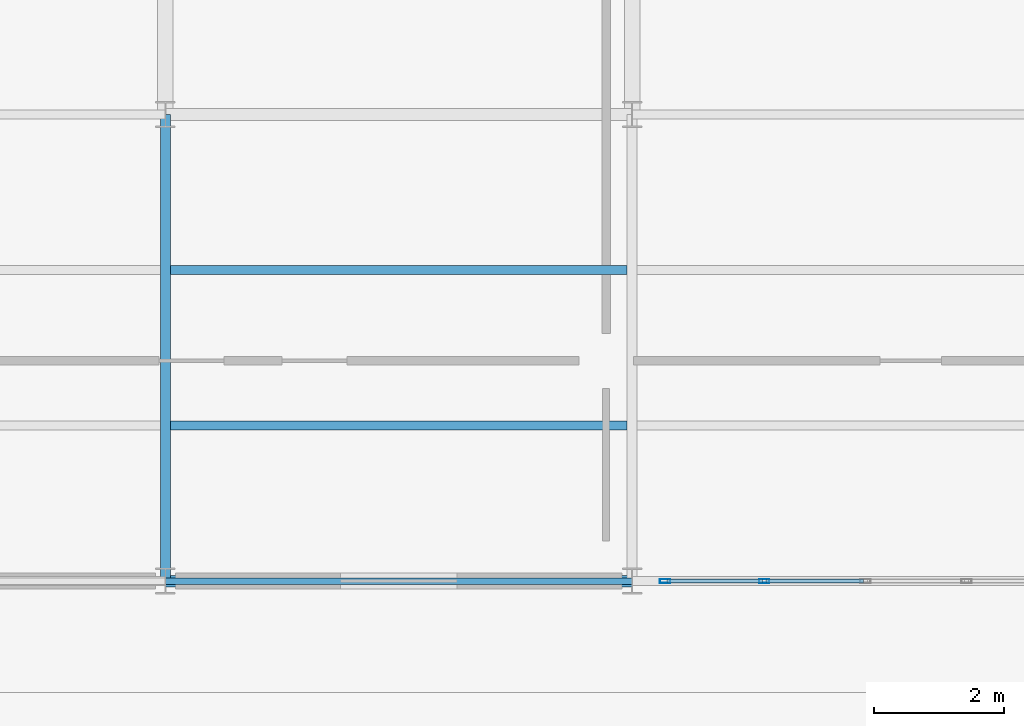
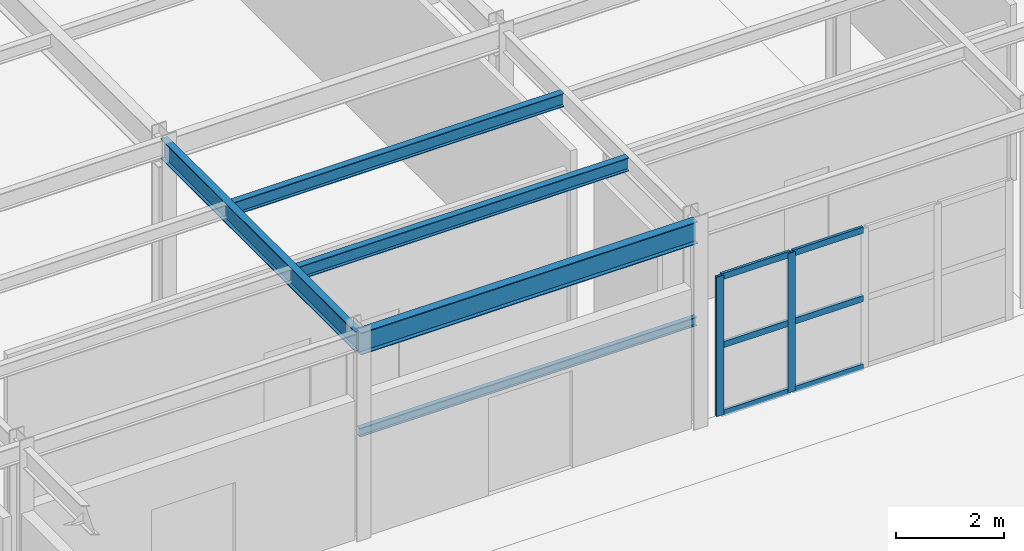
# One storey, part 19 of 41: 8 members, 5 beams, 1 element without a shape of its own.
"""IFC4 building model written with IfcOpenShell, lengths in metres."""

from ifc_helpers import new_model, si_unit, direction, frame, origin, origin_2d, place, context, subcontext, project, spatial, hollow_rectangle, i_section, extrude, material, layer, layer_set, material_profile, profile_set, type_object, element, aggregate, save


model = new_model("IFC4")

# Units and contexts
model_context = context("Model", 3, precision=1e-05, world=origin(), true_north=direction((0.0, 1.0)))
body_context = subcontext(model_context, "Body", "Model", "MODEL_VIEW")
ifc_project = project(units=[si_unit("LENGTHUNIT", "METRE"), si_unit("AREAUNIT", "SQUARE_METRE"), si_unit("VOLUMEUNIT", "CUBIC_METRE"), si_unit("PLANEANGLEUNIT", "RADIAN"), si_unit("MASSUNIT", "GRAM", prefix="KILO")], contexts=[model_context])

# Site, building, storey
site_placement = place(None, origin())
site = spatial("IfcSite", under=ifc_project, at=site_placement, CompositionType="ELEMENT")
building_placement = place(site_placement, origin())
building = spatial("IfcBuilding", under=site, at=building_placement, Name="Solvadek Multi-Sports Hall", CompositionType="ELEMENT")
storey_placement = place(building_placement, frame((0.0, 0.0, 14.39990234375)))
storey = spatial("IfcBuildingStorey", under=building, at=storey_placement, Name="L03", CompositionType="ELEMENT", Elevation=14.39990234375)

# Curtain wall, members
ifc_material_1 = material(Name="Anodised aluminium", Category="aluminium")
ifc_layer = layer(ifc_material_1, 0.159912109375, Name="Anodised aluminium")
ifc_layer_set = layer_set([ifc_layer], Name="Anodised aluminium")
curtain_wall_type = type_object("IfcCurtainWallType", Name="ENV-CW-624X315", PredefinedType="USERDEFINED", material=ifc_layer_set)
curtain_wall_placement = place(storey_placement, origin())
curtain_wall = element("IfcCurtainWall", 1, at=curtain_wall_placement, inside=storey, type_object=curtain_wall_type, Name="L03 Perimeter Bay Curtain Wall #207", ObjectType="CURTAIN WALL", PredefinedType="USERDEFINED")
ifc_material_profile_1 = material_profile(ifc_material_1, hollow_rectangle(XDim=0.06005859375, YDim=0.159912109375, WallThickness=0.00390625, at=origin_2d()), Name="ALU-M 160x60x4")
ifc_profile_set_1 = profile_set([ifc_material_profile_1], Name="Anodised aluminium")
member_type_1 = type_object("IfcMemberType", Name="ENV-CWM-01", PredefinedType="MULLION", material=ifc_profile_set_1)
member_1_placement = place(storey_placement, frame((43.7099609375, 85.199951171875, 0.0), z_axis=(0.0, 0.0, 1.0), x_axis=(0.0, 1.0, 0.0)))
member_1 = element("IfcMember", 2, at=member_1_placement, type_object=member_type_1, Name="CW-44 mullion 1", PredefinedType="MULLION", context=body_context, shape_type="SweptSolid", body=[
    extrude(hollow_rectangle(XDim=0.06005859375, YDim=0.159912109375, WallThickness=0.00390625, at=origin_2d()), origin(), (0.0, 0.0, 1.0), 3.150146484375),
])
member_2_placement = place(storey_placement, frame((45.239990234375, 85.199951171875, 0.0), z_axis=(0.0, 0.0, 1.0), x_axis=(0.0, 1.0, 0.0)))
member_2 = element("IfcMember", 3, at=member_2_placement, type_object=member_type_1, Name="CW-44 mullion 2", PredefinedType="MULLION", context=body_context, shape_type="SweptSolid", body=[
    extrude(hollow_rectangle(XDim=0.06005859375, YDim=0.159912109375, WallThickness=0.00390625, at=origin_2d()), origin(), (0.0, 0.0, 1.0), 3.150146484375),
])
ifc_material_profile_2 = material_profile(ifc_material_1, hollow_rectangle(XDim=0.06005859375, YDim=0.139892578125, WallThickness=0.00390625, at=origin_2d()), Name="ALU-T 140x60x4")
ifc_profile_set_2 = profile_set([ifc_material_profile_2], Name="Anodised aluminium")
member_type_2 = type_object("IfcMemberType", Name="ENV-CWT-02", PredefinedType="USERDEFINED", material=ifc_profile_set_2)
member_3_placement = place(storey_placement, frame((43.739990234375, 85.199951171875, 0.030029296875), z_axis=(1.0, 0.0, 0.0), x_axis=(0.0, 1.0, 0.0)))
member_3 = element("IfcMember", 4, at=member_3_placement, type_object=member_type_2, Name="CW-44 transom 1.1", ObjectType="TRANSOM", PredefinedType="USERDEFINED", context=body_context, shape_type="SweptSolid", body=[
    extrude(hollow_rectangle(XDim=0.06005859375, YDim=0.139892578125, WallThickness=0.00390625, at=origin_2d()), origin(), (0.0, 0.0, 1.0), 1.469970703125),
])
member_4_placement = place(storey_placement, frame((43.739990234375, 85.199951171875, 1.5751953125), z_axis=(1.0, 0.0, 0.0), x_axis=(0.0, 1.0, 0.0)))
member_4 = element("IfcMember", 5, at=member_4_placement, type_object=member_type_2, Name="CW-44 transom 1.2", ObjectType="TRANSOM", PredefinedType="USERDEFINED", context=body_context, shape_type="SweptSolid", body=[
    extrude(hollow_rectangle(XDim=0.06005859375, YDim=0.139892578125, WallThickness=0.00390625, at=origin_2d()), origin(), (0.0, 0.0, 1.0), 1.469970703125),
])
member_5_placement = place(storey_placement, frame((43.739990234375, 85.199951171875, 3.1201171875), z_axis=(1.0, 0.0, 0.0), x_axis=(0.0, 1.0, 0.0)))
member_5 = element("IfcMember", 6, at=member_5_placement, type_object=member_type_2, Name="CW-44 transom 1.3", ObjectType="TRANSOM", PredefinedType="USERDEFINED", context=body_context, shape_type="SweptSolid", body=[
    extrude(hollow_rectangle(XDim=0.06005859375, YDim=0.139892578125, WallThickness=0.00390625, at=origin_2d()), origin(), (0.0, 0.0, 1.0), 1.469970703125),
])
member_6_placement = place(storey_placement, frame((45.27001953125, 85.199951171875, 0.030029296875), z_axis=(1.0, 0.0, 0.0), x_axis=(0.0, 1.0, 0.0)))
member_6 = element("IfcMember", 7, at=member_6_placement, type_object=member_type_2, Name="CW-44 transom 2.1", ObjectType="TRANSOM", PredefinedType="USERDEFINED", context=body_context, shape_type="SweptSolid", body=[
    extrude(hollow_rectangle(XDim=0.06005859375, YDim=0.139892578125, WallThickness=0.00390625, at=origin_2d()), origin(), (0.0, 0.0, 1.0), 1.5),
])
member_7_placement = place(storey_placement, frame((45.27001953125, 85.199951171875, 1.5751953125), z_axis=(1.0, 0.0, 0.0), x_axis=(0.0, 1.0, 0.0)))
member_7 = element("IfcMember", 8, at=member_7_placement, type_object=member_type_2, Name="CW-44 transom 2.2", ObjectType="TRANSOM", PredefinedType="USERDEFINED", context=body_context, shape_type="SweptSolid", body=[
    extrude(hollow_rectangle(XDim=0.06005859375, YDim=0.139892578125, WallThickness=0.00390625, at=origin_2d()), origin(), (0.0, 0.0, 1.0), 1.5),
])
member_8_placement = place(storey_placement, frame((45.27001953125, 85.199951171875, 3.1201171875), z_axis=(1.0, 0.0, 0.0), x_axis=(0.0, 1.0, 0.0)))
member_8 = element("IfcMember", 9, at=member_8_placement, type_object=member_type_2, Name="CW-44 transom 2.3", ObjectType="TRANSOM", PredefinedType="USERDEFINED", context=body_context, shape_type="SweptSolid", body=[
    extrude(hollow_rectangle(XDim=0.06005859375, YDim=0.139892578125, WallThickness=0.00390625, at=origin_2d()), origin(), (0.0, 0.0, 1.0), 1.5),
])
aggregate(curtain_wall, [member_1, member_2, member_3, member_4, member_5, member_6, member_7, member_8])

# Beams
ifc_material_2 = material(Name="Steel E350 (350 MPa)", Category="steel")
ifc_material_profile_3 = material_profile(ifc_material_2, i_section(OverallWidth=0.14990234375, OverallDepth=0.449951171875, WebThickness=0.009521484375, FlangeThickness=0.017333984375, at=origin_2d()), Name="ISMB 450")
ifc_profile_set_3 = profile_set([ifc_material_profile_3], Name="Steel E350 (350 MPa)")
beam_type_1 = type_object("IfcBeamType", Name="STR-BM-ISMB450", PredefinedType="BEAM", material=ifc_profile_set_3)
beam_1_placement = place(storey_placement, frame((36.0, 85.199951171875, 4.375), z_axis=(0.0, 1.0, 0.0), x_axis=(-1.0, 0.0, 0.0)))
element("IfcBeam", 10, at=beam_1_placement, inside=storey, type_object=beam_type_1, Name="L03 Girder B-09 #1666", PredefinedType="BEAM", context=body_context, shape_type="SweptSolid", body=[
    extrude(i_section(OverallWidth=0.14990234375, OverallDepth=0.449951171875, WebThickness=0.009521484375, FlangeThickness=0.017333984375, at=origin_2d()), origin(), (0.0, 0.0, 1.0), 7.199951171875),
])
ifc_material_profile_4 = material_profile(ifc_material_2, i_section(OverallWidth=0.179931640625, OverallDepth=0.5, WebThickness=0.01025390625, FlangeThickness=0.01708984375, at=origin_2d()), Name="ISMB 500")
ifc_profile_set_4 = profile_set([ifc_material_profile_4], Name="Steel E350 (350 MPa)")
beam_type_2 = type_object("IfcBeamType", Name="STR-BM-ISMB500", PredefinedType="BEAM", material=ifc_profile_set_4)
beam_2_placement = place(storey_placement, frame((36.0, 85.199951171875, 4.35009765625), z_axis=(1.0, 0.0, 0.0), x_axis=(0.0, 1.0, 0.0)))
element("IfcBeam", 11, at=beam_2_placement, inside=storey, type_object=beam_type_2, Name="L03 Girder B-07 #1633", PredefinedType="BEAM", context=body_context, shape_type="SweptSolid", body=[
    extrude(i_section(OverallWidth=0.179931640625, OverallDepth=0.5, WebThickness=0.01025390625, FlangeThickness=0.01708984375, at=origin_2d()), origin(), (0.0, 0.0, 1.0), 7.199951171875),
])
ifc_material_profile_5 = material_profile(ifc_material_2, i_section(OverallWidth=0.139892578125, OverallDepth=0.300048828125, WebThickness=0.0078125, FlangeThickness=0.01318359375, at=origin_2d()), Name="ISMB 300")
ifc_profile_set_5 = profile_set([ifc_material_profile_5], Name="Steel E350 (350 MPa)")
beam_type_3 = type_object("IfcBeamType", Name="STR-JST-ISMB300", PredefinedType="JOIST", material=ifc_profile_set_5)
for number, where, z_axis, x_axis, name in (
    (12, (36.074951171875, 87.60009765625, 4.4501953125), (1.0, 0.0, 0.0), (0.0, 1.0, 0.0), "L03 Composite Joist J-03 #928"),
    (13, (36.074951171875, 90.0, 4.4501953125), (1.0, 0.0, 0.0), (0.0, 1.0, 0.0), "L03 Composite Joist J-03 #929"),
):
    element("IfcBeam", number, at=place(storey_placement, frame(where, z_axis=z_axis, x_axis=x_axis)), inside=storey, type_object=beam_type_3, Name=name, PredefinedType="JOIST", context=body_context, shape_type="SweptSolid", body=[
        extrude(i_section(OverallWidth=0.139892578125, OverallDepth=0.300048828125, WebThickness=0.0078125, FlangeThickness=0.01318359375, at=origin_2d()), origin(), (0.0, 0.0, 1.0), 7.050048828125),
    ])
ifc_material_3 = material(Name="Steel E250 (250 MPa)", Category="steel")
ifc_material_profile_6 = material_profile(ifc_material_3, i_section(OverallWidth=0.10009765625, OverallDepth=0.199951171875, WebThickness=0.005615234375, FlangeThickness=0.0107421875, at=origin_2d()), Name="ISMB 200")
ifc_profile_set_6 = profile_set([ifc_material_profile_6], Name="Steel E250 (250 MPa)")
beam_type_4 = type_object("IfcBeamType", Name="STR-LIN-ISMB200", PredefinedType="LINTEL", material=ifc_profile_set_6)
beam_3_placement = place(storey_placement, frame((36.0, 85.199951171875, 2.320068359375), z_axis=(1.0, 0.0, 0.0), x_axis=(0.0, 1.0, 0.0)))
element("IfcBeam", 14, at=beam_3_placement, inside=storey, type_object=beam_type_4, Name="L03 Opening Lintel #28", PredefinedType="LINTEL", context=body_context, shape_type="SweptSolid", body=[
    extrude(i_section(OverallWidth=0.10009765625, OverallDepth=0.199951171875, WebThickness=0.005615234375, FlangeThickness=0.0107421875, at=origin_2d()), origin(), (0.0, 0.0, 1.0), 7.199951171875),
])

save(model, "model.ifc")
